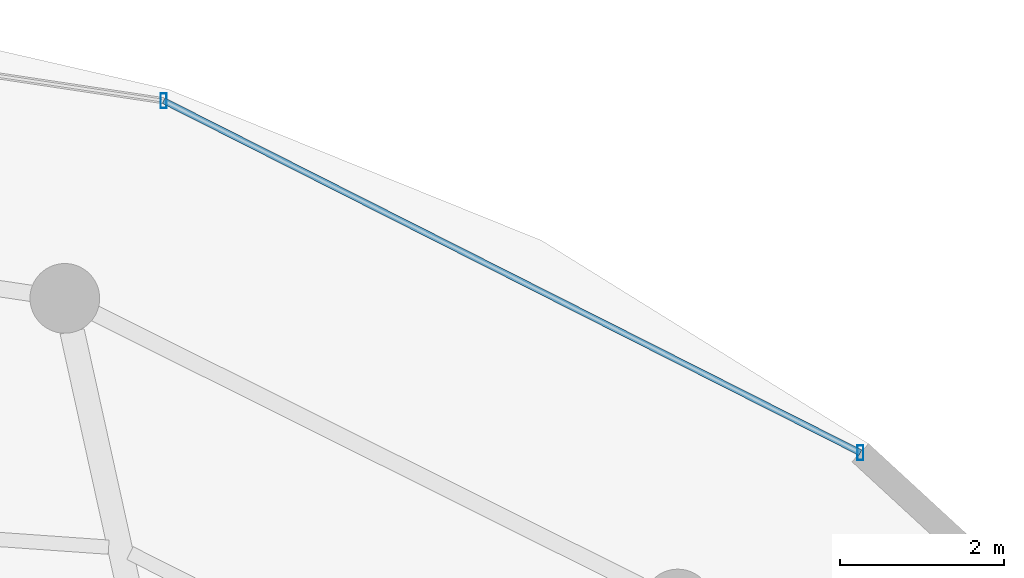
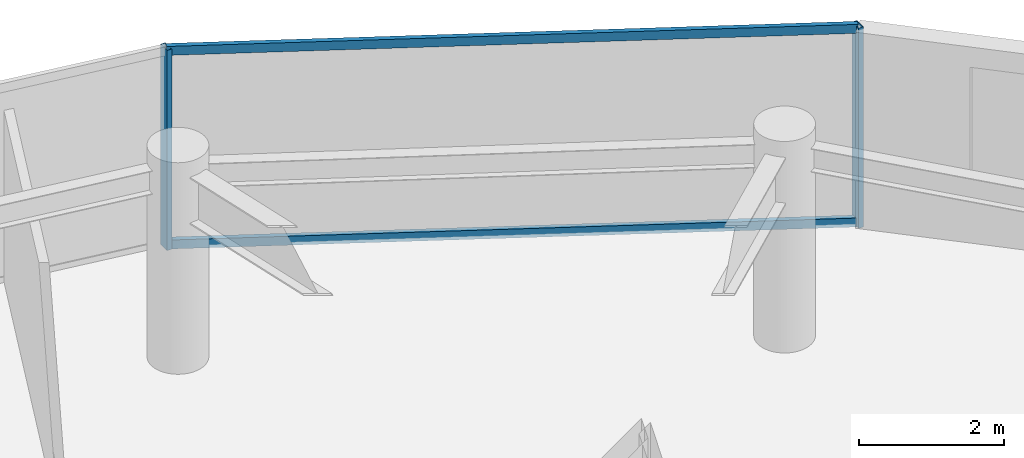
# One storey, part 20 of 30: 4 members, 1 element without a shape of its own.
"""IFC4 building model written with IfcOpenShell, lengths in metres."""

from ifc_helpers import new_model, si_unit, direction, frame, origin, origin_2d, place, context, subcontext, project, spatial, hollow_rectangle, extrude, material, material_profile, profile_set, type_object, element, aggregate, save


model = new_model("IFC4")

# Units and contexts
model_context = context("Model", 3, precision=1e-05, world=origin(), true_north=direction((0.0, 1.0)))
body_context = subcontext(model_context, "Body", "Model", "MODEL_VIEW")
ifc_project = project(units=[si_unit("LENGTHUNIT", "METRE"), si_unit("AREAUNIT", "SQUARE_METRE"), si_unit("VOLUMEUNIT", "CUBIC_METRE"), si_unit("PLANEANGLEUNIT", "RADIAN"), si_unit("MASSUNIT", "GRAM", prefix="KILO")], contexts=[model_context])

# Site, building, storey
site_placement = place(None, origin())
site = spatial("IfcSite", under=ifc_project, at=site_placement, CompositionType="ELEMENT")
building_placement = place(site_placement, origin())
building = spatial("IfcBuilding", under=site, at=building_placement, Name="Vorneva Point Tower", CompositionType="ELEMENT")
storey_placement = place(building_placement, frame((0.0, 0.0, 234.25)))
storey = spatial("IfcBuildingStorey", under=building, at=storey_placement, Name="L63", CompositionType="ELEMENT", Elevation=234.25)

# Curtain wall, members
ifc_material = material(Name="Pale anodised aluminium", Category="aluminium")
curtain_wall_type = type_object("IfcCurtainWallType", Name="CW-RES-SYS", PredefinedType="NOTDEFINED", material=ifc_material)
curtain_wall_placement = place(storey_placement, origin())
curtain_wall = element("IfcCurtainWall", 1, at=curtain_wall_placement, inside=storey, type_object=curtain_wall_type, Name="L63 Unitised Curtain Wall CW-L63-R02", PredefinedType="NOTDEFINED")
ifc_material_profile_1 = material_profile(ifc_material, hollow_rectangle(XDim=0.074951171875, YDim=0.179931640625, WallThickness=0.00390625, at=origin_2d()), Name="AL-MUL 180x75x4")
ifc_profile_set_1 = profile_set([ifc_material_profile_1], Name="Pale anodised aluminium")
member_type_1 = type_object("IfcMemberType", Name="CW-MUL-180", PredefinedType="MULLION", material=ifc_profile_set_1)
member_1_placement = place(storey_placement, frame((56.526123046875, 40.0078125, -0.0400390625), z_axis=(0.0, 0.0, 1.0), x_axis=(1.0, 0.0, 0.0)))
member_1 = element("IfcMember", 2, at=member_1_placement, type_object=member_type_1, Name="CW-L63-R02 Mullion 01", PredefinedType="MULLION", context=body_context, shape_type="SweptSolid", body=[
    extrude(hollow_rectangle(XDim=0.074951171875, YDim=0.179931640625, WallThickness=0.00390625, at=origin_2d()), origin(), (0.0, 0.0, 1.0), 3.360107421875),
])
member_2_placement = place(storey_placement, frame((48.0263671875, 44.302001953125, -0.0400390625), z_axis=(0.0, 0.0, 1.0), x_axis=(1.0, 0.0, 0.0)))
member_2 = element("IfcMember", 3, at=member_2_placement, type_object=member_type_1, Name="CW-L63-R02 Mullion 02", PredefinedType="MULLION", context=body_context, shape_type="SweptSolid", body=[
    extrude(hollow_rectangle(XDim=0.074951171875, YDim=0.179931640625, WallThickness=0.00390625, at=origin_2d()), origin(), (0.0, 0.0, 1.0), 3.360107421875),
])
ifc_material_profile_2 = material_profile(ifc_material, hollow_rectangle(XDim=0.074951171875, YDim=0.14990234375, WallThickness=0.00390625, at=origin_2d()), Name="AL-TRN 150x75x4")
ifc_profile_set_2 = profile_set([ifc_material_profile_2], Name="Pale anodised aluminium")
member_type_2 = type_object("IfcMemberType", Name="CW-TRN-150", PredefinedType="USERDEFINED", material=ifc_profile_set_2)
member_3_placement = place(storey_placement, frame((56.526123046875, 40.0078125, 0.02001953125), z_axis=(-0.892558185815, 0.450932239848, 0.0), x_axis=(-0.450932239848, -0.892558185815, 0.0)))
member_3 = element("IfcMember", 4, at=member_3_placement, type_object=member_type_2, Name="CW-L63-R02 Transom 01.1", ObjectType="TRANSOM", PredefinedType="USERDEFINED", context=body_context, shape_type="SweptSolid", body=[
    extrude(hollow_rectangle(XDim=0.074951171875, YDim=0.14990234375, WallThickness=0.00390625, at=origin_2d()), origin(), (0.0, 0.0, 1.0), 9.52294921875),
])
member_4_placement = place(storey_placement, frame((56.526123046875, 40.0078125, 3.27001953125), z_axis=(-0.892558185815, 0.450932239848, 0.0), x_axis=(-0.450932239848, -0.892558185815, 0.0)))
member_4 = element("IfcMember", 5, at=member_4_placement, type_object=member_type_2, Name="CW-L63-R02 Transom 01.2", ObjectType="TRANSOM", PredefinedType="USERDEFINED", context=body_context, shape_type="SweptSolid", body=[
    extrude(hollow_rectangle(XDim=0.074951171875, YDim=0.14990234375, WallThickness=0.00390625, at=origin_2d()), origin(), (0.0, 0.0, 1.0), 9.52294921875),
])
aggregate(curtain_wall, [member_1, member_2, member_3, member_4])

save(model, "model.ifc")
